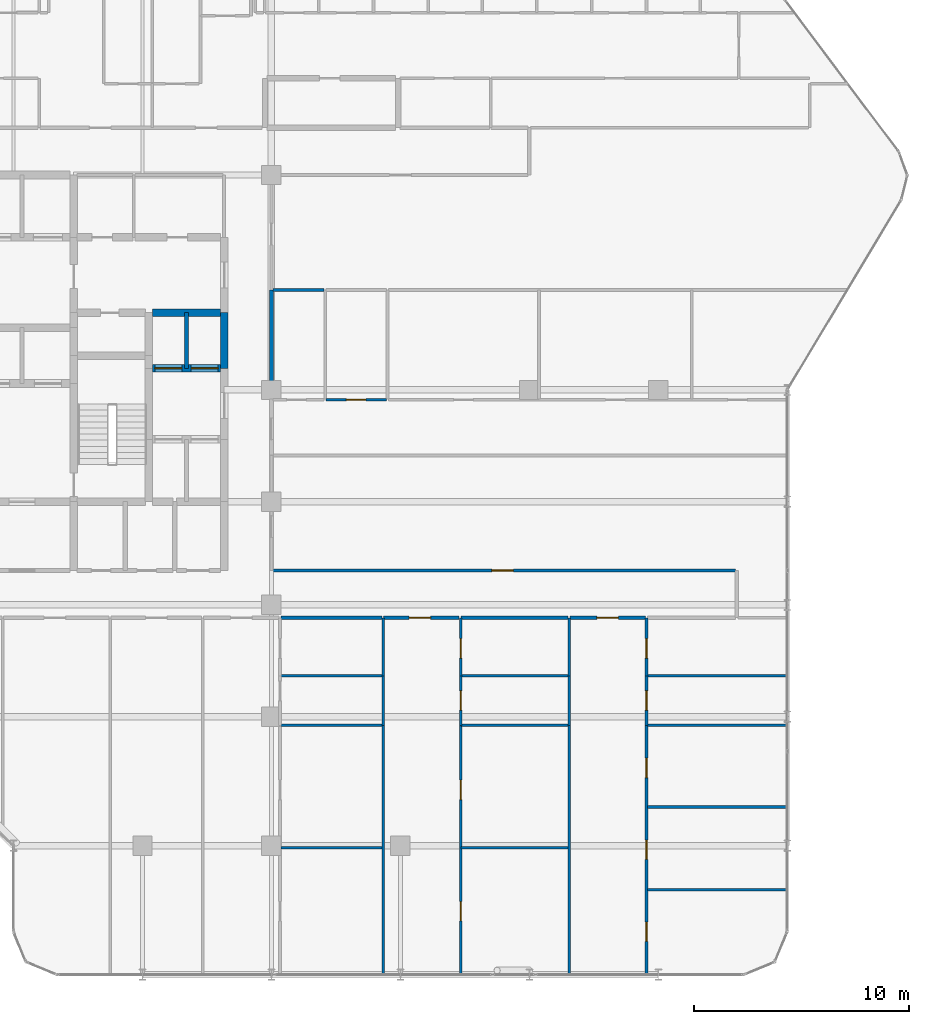
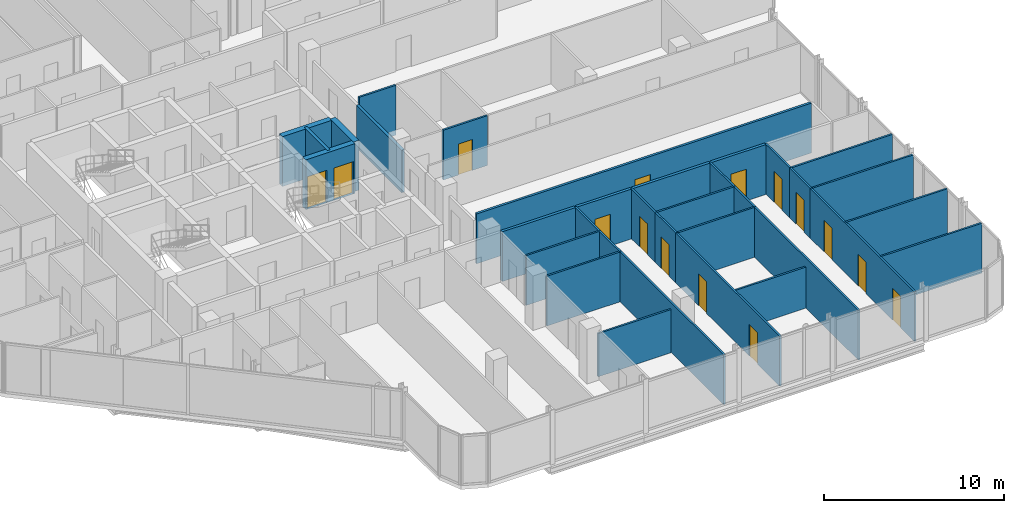
# One storey, part 27 of 31: 34 walls, 15 doors, 15 openings.
"""IFC4 building model written with IfcOpenShell, lengths in metres."""

import ifcopenshell
import ifcopenshell.guid

model = None  # the IFC model being written
_history = None  # IfcOwnerHistory: only IFC2X3 demands one
_inside = {}  # id of a spatial element -> (the spatial element, [elements in it])
_under = {}  # id of a project, library or spatial element -> (it, [spatial elements below it])
_declared = {}  # id of a project -> (the project, [libraries it declares])
_typed = {}  # id of a type object -> (the type object, [elements of that type])
_made_of = {}  # id of a material, layer set ... -> (it, [elements and type objects made of it])


def new_model(schema):
    """Start an empty IFC model of exactly this schema.

    Asked for "IFC4X3", IfcOpenShell would pick the latest addendum, in which some entities
    have other attributes; the version numbers below select the first issue.
    IFC2X3 requires an IfcOwnerHistory on every rooted entity: one is made here for all.
    """
    global model, _history
    if schema == "IFC4X3":
        model = ifcopenshell.file(schema_version=(4, 3, 0, 0))
    else:
        model = ifcopenshell.file(schema=schema)
    _inside.clear()
    _under.clear()
    _declared.clear()
    _typed.clear()
    _made_of.clear()
    _history = None
    if model.schema == "IFC2X3":
        org = make("IfcOrganization", Name="unknown")
        user = make(
            "IfcPersonAndOrganization",
            ThePerson=make("IfcPerson", FamilyName="unknown"),
            TheOrganization=org,
        )
        app = make(
            "IfcApplication",
            ApplicationDeveloper=org,
            Version="unknown",
            ApplicationFullName="unknown",
            ApplicationIdentifier="unknown",
        )
        _history = make(
            "IfcOwnerHistory",
            OwningUser=user,
            OwningApplication=app,
            ChangeAction="ADDED",
            CreationDate=0,
        )
    return model


def make(cls, **values):
    """One entity of the class cls with the attributes given. An attribute that is None is left unset."""
    return model.create_entity(
        cls, **{name: value for name, value in values.items() if value is not None}
    )


def rooted(cls, **values):
    """An entity with a GlobalId (a new one), such as an element, a storey or a relation."""
    return make(cls, GlobalId=ifcopenshell.guid.new(), OwnerHistory=_history, **values)


def si_unit(unit_type, name, prefix=None):
    """IfcSIUnit, for example si_unit("LENGTHUNIT", "METRE", prefix="MILLI")."""
    return make("IfcSIUnit", UnitType=unit_type, Prefix=prefix, Name=name)


def assignment(units):
    """IfcUnitAssignment: the units of a project."""
    return None if units is None else make("IfcUnitAssignment", Units=units)


def point(xyz):
    """IfcCartesianPoint."""
    return None if xyz is None else make("IfcCartesianPoint", Coordinates=xyz)


def direction(xyz):
    """IfcDirection."""
    return None if xyz is None else make("IfcDirection", DirectionRatios=xyz)


def frame(location, z_axis=None, x_axis=None):
    """IfcAxis2Placement3D, a coordinate frame: its origin and axes. An axis left out is left unset."""
    return make(
        "IfcAxis2Placement3D",
        Location=point(location),
        Axis=direction(z_axis),
        RefDirection=direction(x_axis),
    )


def frame_2d(location, x_axis=None):
    """IfcAxis2Placement2D, a coordinate frame in the plane: its origin and x axis."""
    return make(
        "IfcAxis2Placement2D", Location=point(location), RefDirection=direction(x_axis)
    )


def origin():
    """The frame at (0, 0, 0) with its axes left unset."""
    return frame((0.0, 0.0, 0.0))


def place(relative_to, where):
    """IfcLocalPlacement: puts the frame where relative to a parent placement (None: the world)."""
    return make(
        "IfcLocalPlacement", PlacementRelTo=relative_to, RelativePlacement=where
    )


def context(
    kind, dimensions, precision=None, world=None, true_north=None, identifier=None
):
    """IfcGeometricRepresentationContext, for example the 3D "Model" context."""
    return make(
        "IfcGeometricRepresentationContext",
        ContextIdentifier=identifier,
        ContextType=kind,
        CoordinateSpaceDimension=dimensions,
        Precision=precision,
        WorldCoordinateSystem=world,
        TrueNorth=true_north,
    )


def subcontext(parent, identifier, kind, view, scale=None):
    """IfcGeometricRepresentationSubContext, for example "Body" below "Model"."""
    return make(
        "IfcGeometricRepresentationSubContext",
        ContextIdentifier=identifier,
        ContextType=kind,
        ParentContext=parent,
        TargetScale=scale,
        TargetView=view,
    )


def project(units=None, contexts=None):
    """IfcProject with its units and contexts."""
    return rooted(
        "IfcProject",
        Name="project",
        RepresentationContexts=contexts,
        UnitsInContext=assignment(units),
    )


def spatial(cls, under=None, at=None, **own):
    """A site, building, storey or space (cls), placed at a placement, below another one or the project."""
    s = rooted(cls, ObjectPlacement=at, **own)
    if under is not None:
        _under.setdefault(under.id(), (under, []))[1].append(s)
    return s


def profile(cls, at=None, kind="AREA", **sizes):
    """A parametric profile (cls). Its sizes go by their IFC names, for example OverallWidth=200.0."""
    return make(cls, ProfileType=kind, Position=at, **sizes)


def rectangle(**sizes):
    """IfcRectangleProfileDef."""
    return profile("IfcRectangleProfileDef", **sizes)


def extrude(swept, where, along, depth):
    """IfcExtrudedAreaSolid: the profile swept, set in the frame where, extruded along a direction by depth."""
    return make(
        "IfcExtrudedAreaSolid",
        SweptArea=swept,
        Position=where,
        ExtrudedDirection=direction(along),
        Depth=depth,
    )


def shape(context_of_items, identifier, shape_type, items):
    """IfcShapeRepresentation: the items that make up one representation, for example the "Body"."""
    return make(
        "IfcShapeRepresentation",
        ContextOfItems=context_of_items,
        RepresentationIdentifier=identifier,
        RepresentationType=shape_type,
        Items=items,
    )


def material(Name=None, Category=None):
    """IfcMaterial."""
    return make("IfcMaterial", Name=Name, Category=Category)


def layer(
    of_material, thickness, ventilated=None, Name=None, Category=None, Priority=None
):
    """IfcMaterialLayer: one layer of a wall or slab, of a material (None: an air gap)."""
    return make(
        "IfcMaterialLayer",
        Material=of_material,
        LayerThickness=thickness,
        IsVentilated=ventilated,
        Name=Name,
        Category=Category,
        Priority=Priority,
    )


def layer_set(layers, Name=None):
    """IfcMaterialLayerSet."""
    return make("IfcMaterialLayerSet", MaterialLayers=layers, LayerSetName=Name)


def made_of(thing, what):
    """Note that an element or type object is made of a material, layer set ...; save() writes the relation."""
    if what is not None:
        _made_of.setdefault(what.id(), (what, []))[1].append(thing)
    return thing


def type_object(cls, material=None, **own):
    """A type object (cls), such as IfcWallType, which elements share."""
    return made_of(rooted(cls, **own), material)


def element(
    cls,
    number,
    at=None,
    inside=None,
    cuts=None,
    type_object=None,
    material=None,
    context=None,
    identifier="Body",
    shape_type=None,
    held_by="IfcProductDefinitionShape",
    body=None,
    shapes=None,
    **own,
):
    """One element of the class cls, such as IfcWall. Its Tag is "e" and its number.

    at: its placement. inside: the storey or other place that contains it. cuts: it is an
    opening in that element (IfcRelVoidsElement). A single representation is given by context,
    identifier, shape_type and body (its items); several are given by shapes. held_by: the class
    of the entity that holds the representations. save() writes the other relations.
    """
    e = rooted(cls, Tag="e%d" % number, ObjectPlacement=at, **own)
    if body is not None:
        shapes = [shape(context, identifier, shape_type, body)]
    if shapes is not None:
        e.Representation = make(held_by, Representations=shapes)
    if inside is not None:
        _inside.setdefault(inside.id(), (inside, []))[1].append(e)
    if cuts is not None:
        rooted(
            "IfcRelVoidsElement", RelatingBuildingElement=cuts, RelatedOpeningElement=e
        )
    if type_object is not None:
        _typed.setdefault(type_object.id(), (type_object, []))[1].append(e)
    return made_of(e, material)


def fill(opening, filler):
    """IfcRelFillsElement: the door or window that sits in an opening."""
    return rooted(
        "IfcRelFillsElement",
        RelatingOpeningElement=opening,
        RelatedBuildingElement=filler,
    )


def aggregate(whole, parts):
    """IfcRelAggregates: a whole, such as a stair, and the parts it consists of."""
    return rooted("IfcRelAggregates", RelatingObject=whole, RelatedObjects=parts)


def save(model, path):
    """Write the relations noted so far, then the file.

    IfcRelAggregates (storeys below a building ...), IfcRelContainedInSpatialStructure (elements
    in a storey), IfcRelDefinesByType, IfcRelAssociatesMaterial and IfcRelDeclares: one each for
    every whole, place, type object, material and project.
    """
    for whole, parts in _under.values():
        aggregate(whole, parts)
    for where, things in _inside.values():
        rooted(
            "IfcRelContainedInSpatialStructure",
            RelatedElements=things,
            RelatingStructure=where,
        )
    for kind, things in _typed.values():
        rooted("IfcRelDefinesByType", RelatedObjects=things, RelatingType=kind)
    for what, things in _made_of.values():
        rooted("IfcRelAssociatesMaterial", RelatedObjects=things, RelatingMaterial=what)
    for by, libraries in _declared.values():
        rooted("IfcRelDeclares", RelatingContext=by, RelatedDefinitions=libraries)
    model.write(path)


model = new_model("IFC4")

# Units and contexts
model_context = context("Model", 3, precision=1e-05, world=origin(), true_north=direction((0.0, 1.0)))
body_context = subcontext(model_context, "Body", "Model", "MODEL_VIEW")
ifc_project = project(units=[si_unit("LENGTHUNIT", "METRE"), si_unit("AREAUNIT", "SQUARE_METRE"), si_unit("VOLUMEUNIT", "CUBIC_METRE"), si_unit("PLANEANGLEUNIT", "RADIAN"), si_unit("MASSUNIT", "GRAM", prefix="KILO")], contexts=[model_context])

# Site, building, storey
site_placement = place(None, origin())
site = spatial("IfcSite", under=ifc_project, at=site_placement, CompositionType="ELEMENT")
building_placement = place(site_placement, origin())
building = spatial("IfcBuilding", under=site, at=building_placement, Name="Keshet Zoharim Tower", CompositionType="ELEMENT")
storey_placement = place(building_placement, frame((0.0, 0.0, 144.60009765625)))
storey = spatial("IfcBuildingStorey", under=building, at=storey_placement, Name="L35", CompositionType="ELEMENT", Elevation=144.60009765625)

# Wall, opening, door
ifc_material_1 = material(Name="Gypsum Plasterboard", Category="gypsum")
ifc_layer_1 = layer(ifc_material_1, 0.14990234375)
ifc_layer_set_1 = layer_set([ifc_layer_1], Name="Gypsum Plasterboard")
wall_type_1 = type_object("IfcWallType", Name="WL-CLIN-150", PredefinedType="STANDARD", material=ifc_layer_set_1)
wall_1_placement = place(storey_placement, frame((33.070068359375, 19.5, 0.0), z_axis=(0.0, 0.0, 1.0), x_axis=(1.0, 0.0, 0.0)))
wall_1 = element("IfcWall", 1, at=wall_1_placement, inside=storey, type_object=wall_type_1, Name="L35 Interior Wall 135", PredefinedType="STANDARD", context=body_context, shape_type="SweptSolid", body=[
    extrude(rectangle(XDim=21.510009765625, YDim=0.14990234375, at=frame_2d((10.7548828125, 0.0))), origin(), (0.0, 0.0, 1.0), 3.385009765625),
])
opening_1_placement = place(wall_1_placement, frame((10.18505859375, 0.0, 0.0)))
opening_1 = element("IfcOpeningElement", 2, at=opening_1_placement, cuts=wall_1, Name="Opening D-F310", PredefinedType="OPENING", context=body_context, shape_type="SweptSolid", body=[
    extrude(rectangle(XDim=1.0, YDim=2.14990234375, at=frame_2d((0.5, 1.074951171875))), frame((0.0, 0.0849609375, 0.0), z_axis=(0.0, -1.0, 0.0), x_axis=(1.0, 0.0, 0.0)), (0.0, 0.0, 1.0), 0.169921875),
])
ifc_material_2 = material(Name="Hardwood Timber", Category="wood")
door_type_1 = type_object("IfcDoorType", Name="DR-FD30-100", OperationType="NOTDEFINED", PredefinedType="DOOR", material=ifc_material_2)
door_1_placement = place(opening_1_placement, origin())
door_1 = element("IfcDoor", 3, at=door_1_placement, inside=storey, type_object=door_type_1, Name="L35 South East Residents Services Suite Door 1", OperationType="SINGLE_SWING_RIGHT", OverallHeight=2.14990234375, OverallWidth=1.0, PredefinedType="DOOR", context=body_context, shape_type="SweptSolid", body=[
    extrude(rectangle(XDim=1.0, YDim=2.14990234375, at=frame_2d((0.5, 1.074951171875))), frame((0.0, 0.02490234375, 0.0), z_axis=(0.0, -1.0, 0.0), x_axis=(1.0, 0.0, 0.0)), (0.0, 0.0, 1.0), 0.050048828125),
])
fill(opening_1, door_1)

# Wall
ifc_material_3 = material(Name="Concrete C60/75", Category="concrete")
ifc_layer_2 = layer(ifc_material_3, 0.35009765625)
ifc_layer_set_2 = layer_set([ifc_layer_2], Name="Concrete C60/75")
wall_type_2 = type_object("IfcWallType", Name="WL-CORE-350", PredefinedType="SHEAR", material=ifc_layer_set_2)
wall_2_placement = place(storey_placement, frame((30.800048828125, 28.89990234375, 0.0), z_axis=(0.0, 0.0, 1.0), x_axis=(0.0, 1.0, 0.0)))
element("IfcWall", 4, at=wall_2_placement, inside=storey, type_object=wall_type_2, Name="L35 Core Shear Wall 062", PredefinedType="SHEAR", context=body_context, shape_type="SweptSolid", body=[
    extrude(rectangle(XDim=2.60009765625, YDim=0.35009765625, at=frame_2d((1.300048828125, 0.0))), origin(), (0.0, 0.0, 1.0), 3.385009765625),
])

# Wall, openings, doors
wall_3_placement = place(storey_placement, frame((27.4599609375, 28.89990234375, 0.0), z_axis=(0.0, 0.0, 1.0), x_axis=(1.0, 0.0, 0.0)))
wall_3 = element("IfcWall", 5, at=wall_3_placement, inside=storey, type_object=wall_type_2, Name="L35 Core Shear Wall 156", PredefinedType="SHEAR", context=body_context, shape_type="SweptSolid", body=[
    extrude(rectangle(XDim=3.179931640625, YDim=0.35009765625, at=frame_2d((1.58984375, 0.0))), origin(), (0.0, 0.0, 1.0), 3.385009765625),
])
opening_2_placement = place(wall_3_placement, frame((0.1201171875, 0.0, 0.0)))
opening_2 = element("IfcOpeningElement", 6, at=opening_2_placement, cuts=wall_3, Name="Opening LD-01", PredefinedType="OPENING", context=body_context, shape_type="SweptSolid", body=[
    extrude(rectangle(XDim=1.25, YDim=2.199951171875, at=frame_2d((0.625, 1.10009765625))), frame((0.0, 0.18505859375, 0.0), z_axis=(0.0, -1.0, 0.0), x_axis=(1.0, 0.0, 0.0)), (0.0, 0.0, 1.0), 0.3701171875),
])
opening_3_placement = place(wall_3_placement, frame((1.81005859375, 0.0, 0.0)))
opening_3 = element("IfcOpeningElement", 7, at=opening_3_placement, cuts=wall_3, Name="Opening LD-01", PredefinedType="OPENING", context=body_context, shape_type="SweptSolid", body=[
    extrude(rectangle(XDim=1.25, YDim=2.199951171875, at=frame_2d((0.625, 1.10009765625))), frame((0.0, 0.18505859375, 0.0), z_axis=(0.0, -1.0, 0.0), x_axis=(1.0, 0.0, 0.0)), (0.0, 0.0, 1.0), 0.3701171875),
])
ifc_material_4 = material(Name="Steel S355", Category="steel")
door_type_2 = type_object("IfcDoorType", Name="DR-LD01-125", OperationType="DOUBLE_DOOR_SLIDING", PredefinedType="DOOR", material=ifc_material_4)
door_2_placement = place(opening_2_placement, origin())
door_2 = element("IfcDoor", 8, at=door_2_placement, inside=storey, type_object=door_type_2, Name="L35 Passenger Lift Landing Door LF-05", OperationType="DOUBLE_DOOR_SLIDING", OverallHeight=2.199951171875, OverallWidth=1.25, PredefinedType="DOOR", context=body_context, shape_type="SweptSolid", body=[
    extrude(rectangle(XDim=1.25, YDim=2.199951171875, at=frame_2d((0.625, 1.10009765625))), frame((0.0, 0.02490234375, 0.0), z_axis=(0.0, -1.0, 0.0), x_axis=(1.0, 0.0, 0.0)), (0.0, 0.0, 1.0), 0.050048828125),
])
fill(opening_2, door_2)
door_3_placement = place(opening_3_placement, origin())
door_3 = element("IfcDoor", 9, at=door_3_placement, inside=storey, type_object=door_type_2, Name="L35 Passenger Lift Landing Door LF-06", OperationType="DOUBLE_DOOR_SLIDING", OverallHeight=2.199951171875, OverallWidth=1.25, PredefinedType="DOOR", context=body_context, shape_type="SweptSolid", body=[
    extrude(rectangle(XDim=1.25, YDim=2.199951171875, at=frame_2d((0.625, 1.10009765625))), frame((0.0, 0.02490234375, 0.0), z_axis=(0.0, -1.0, 0.0), x_axis=(1.0, 0.0, 0.0)), (0.0, 0.0, 1.0), 0.050048828125),
])
fill(opening_3, door_3)

# Walls
wall_4_placement = place(storey_placement, frame((27.4599609375, 31.5, 0.0), z_axis=(0.0, 0.0, 1.0), x_axis=(1.0, 0.0, 0.0)))
element("IfcWall", 10, at=wall_4_placement, inside=storey, type_object=wall_type_2, Name="L35 Core Shear Wall 164", PredefinedType="SHEAR", context=body_context, shape_type="SweptSolid", body=[
    extrude(rectangle(XDim=3.179931640625, YDim=0.35009765625, at=frame_2d((1.58984375, 0.0))), origin(), (0.0, 0.0, 1.0), 3.385009765625),
])
ifc_layer_3 = layer(ifc_material_1, 0.179931640625)
ifc_layer_set_3 = layer_set([ifc_layer_3], Name="Gypsum Plasterboard")
wall_type_3 = type_object("IfcWallType", Name="WL-CORR-180", PredefinedType="STANDARD", material=ifc_layer_set_3)
wall_5_placement = place(storey_placement, frame((33.0, 27.469970703125, 0.0), z_axis=(0.0, 0.0, 1.0), x_axis=(0.0, 1.0, 0.0)))
element("IfcWall", 11, at=wall_5_placement, inside=storey, type_object=wall_type_3, Name="L35 Interior Wall 071", PredefinedType="STANDARD", context=body_context, shape_type="SweptSolid", body=[
    extrude(rectangle(XDim=5.070068359375, YDim=0.179931640625, at=frame_2d((2.53515625, 0.0))), origin(), (0.0, 0.0, 1.0), 2.885009765625),
])
wall_6_placement = place(storey_placement, frame((33.445068359375, 17.300048828125, 0.0), z_axis=(0.0, 0.0, 1.0), x_axis=(1.0, 0.0, 0.0)))
element("IfcWall", 12, at=wall_6_placement, inside=storey, type_object=wall_type_3, Name="L35 Interior Wall 125", PredefinedType="STANDARD", context=body_context, shape_type="SweptSolid", body=[
    extrude(rectangle(XDim=4.68994140625, YDim=0.179931640625, at=frame_2d((2.344970703125, 0.0))), origin(), (0.0, 0.0, 1.0), 3.385009765625),
])

# Wall, opening, door
wall_7_placement = place(storey_placement, frame((38.22509765625, 17.300048828125, 0.0), z_axis=(0.0, 0.0, 1.0), x_axis=(1.0, 0.0, 0.0)))
wall_7 = element("IfcWall", 13, at=wall_7_placement, inside=storey, type_object=wall_type_3, Name="L35 Interior Wall 126", PredefinedType="STANDARD", context=body_context, shape_type="SweptSolid", body=[
    extrude(rectangle(XDim=3.510009765625, YDim=0.179931640625, at=frame_2d((1.7548828125, 0.0))), origin(), (0.0, 0.0, 1.0), 3.385009765625),
])
opening_4_placement = place(wall_7_placement, frame((1.18505859375, 0.0, 0.0)))
opening_4 = element("IfcOpeningElement", 14, at=opening_4_placement, cuts=wall_7, Name="Opening D-F310", PredefinedType="OPENING", context=body_context, shape_type="SweptSolid", body=[
    extrude(rectangle(XDim=1.0, YDim=2.14990234375, at=frame_2d((0.5, 1.074951171875))), frame((0.0, 0.10009765625, 0.0), z_axis=(0.0, -1.0, 0.0), x_axis=(1.0, 0.0, 0.0)), (0.0, 0.0, 1.0), 0.199951171875),
])
door_4_placement = place(opening_4_placement, origin())
door_4 = element("IfcDoor", 15, at=door_4_placement, inside=storey, type_object=door_type_1, Name="Apartment 3503 Entrance Door", OperationType="SINGLE_SWING_LEFT", OverallHeight=2.14990234375, OverallWidth=1.0, PredefinedType="DOOR", context=body_context, shape_type="SweptSolid", body=[
    extrude(rectangle(XDim=1.0, YDim=2.14990234375, at=frame_2d((0.5, 1.074951171875))), frame((0.0, 0.02490234375, 0.0), z_axis=(0.0, -1.0, 0.0), x_axis=(1.0, 0.0, 0.0)), (0.0, 0.0, 1.0), 0.050048828125),
])
fill(opening_4, door_4)

# Wall
wall_8_placement = place(storey_placement, frame((41.824951171875, 17.300048828125, 0.0), z_axis=(0.0, 0.0, 1.0), x_axis=(1.0, 0.0, 0.0)))
element("IfcWall", 16, at=wall_8_placement, inside=storey, type_object=wall_type_3, Name="L35 Interior Wall 127", PredefinedType="STANDARD", context=body_context, shape_type="SweptSolid", body=[
    extrude(rectangle(XDim=4.969970703125, YDim=0.179931640625, at=frame_2d((2.48486328125, 0.0))), origin(), (0.0, 0.0, 1.0), 3.385009765625),
])

# Wall, opening, door
wall_9_placement = place(storey_placement, frame((46.885009765625, 17.300048828125, 0.0), z_axis=(0.0, 0.0, 1.0), x_axis=(1.0, 0.0, 0.0)))
wall_9 = element("IfcWall", 17, at=wall_9_placement, inside=storey, type_object=wall_type_3, Name="L35 Interior Wall 128", PredefinedType="STANDARD", context=body_context, shape_type="SweptSolid", body=[
    extrude(rectangle(XDim=3.510009765625, YDim=0.179931640625, at=frame_2d((1.7548828125, 0.0))), origin(), (0.0, 0.0, 1.0), 3.385009765625),
])
opening_5_placement = place(wall_9_placement, frame((1.2548828125, 0.0, 0.0)))
opening_5 = element("IfcOpeningElement", 18, at=opening_5_placement, cuts=wall_9, Name="Opening D-F310", PredefinedType="OPENING", context=body_context, shape_type="SweptSolid", body=[
    extrude(rectangle(XDim=1.0, YDim=2.14990234375, at=frame_2d((0.5, 1.074951171875))), frame((0.0, 0.10009765625, 0.0), z_axis=(0.0, -1.0, 0.0), x_axis=(1.0, 0.0, 0.0)), (0.0, 0.0, 1.0), 0.199951171875),
])
door_5_placement = place(opening_5_placement, origin())
door_5 = element("IfcDoor", 19, at=door_5_placement, inside=storey, type_object=door_type_1, Name="Apartment 3504 Entrance Door", OperationType="SINGLE_SWING_RIGHT", OverallHeight=2.14990234375, OverallWidth=1.0, PredefinedType="DOOR", context=body_context, shape_type="SweptSolid", body=[
    extrude(rectangle(XDim=1.0, YDim=2.14990234375, at=frame_2d((0.5, 1.074951171875))), frame((0.0, 0.02490234375, 0.0), z_axis=(0.0, -1.0, 0.0), x_axis=(1.0, 0.0, 0.0)), (0.0, 0.0, 1.0), 0.050048828125),
])
fill(opening_5, door_5)

# Walls
ifc_material_5 = material(Name="Concrete C50/60", Category="concrete")
ifc_layer_4 = layer(ifc_material_5, 0.199951171875)
ifc_layer_set_4 = layer_set([ifc_layer_4], Name="Concrete C50/60")
wall_type_4 = type_object("IfcWallType", Name="WL-FIRE-200", PredefinedType="STANDARD", material=ifc_layer_set_4)
wall_10_placement = place(storey_placement, frame((29.050048828125, 28.89990234375, 0.0), z_axis=(0.0, 0.0, 1.0), x_axis=(0.0, 1.0, 0.0)))
element("IfcWall", 20, at=wall_10_placement, inside=storey, type_object=wall_type_4, Name="L35 Interior Wall 055", PredefinedType="STANDARD", context=body_context, shape_type="SweptSolid", body=[
    extrude(rectangle(XDim=2.60009765625, YDim=0.199951171875, at=frame_2d((1.300048828125, 0.0))), origin(), (0.0, 0.0, 1.0), 3.385009765625),
])
ifc_layer_5 = layer(ifc_material_1, 0.1201171875)
ifc_layer_set_5 = layer_set([ifc_layer_5], Name="Gypsum Plasterboard")
wall_type_5 = type_object("IfcWallType", Name="WL-PART-120", PredefinedType="PARTITIONING", material=ifc_layer_set_5)
wall_11_placement = place(storey_placement, frame((38.199951171875, 0.7099609375, 0.0), z_axis=(0.0, 0.0, 1.0), x_axis=(0.0, 1.0, 0.0)))
element("IfcWall", 21, at=wall_11_placement, inside=storey, type_object=wall_type_5, Name="L35 Interior Wall 079", PredefinedType="PARTITIONING", context=body_context, shape_type="SweptSolid", body=[
    extrude(rectangle(XDim=11.590087890625, YDim=0.1201171875, at=frame_2d((5.794921875, 0.0))), origin(), (0.0, 0.0, 1.0), 3.385009765625),
])
wall_12_placement = place(storey_placement, frame((38.199951171875, 12.300048828125, 0.0), z_axis=(0.0, 0.0, 1.0), x_axis=(0.0, 1.0, 0.0)))
element("IfcWall", 22, at=wall_12_placement, inside=storey, type_object=wall_type_5, Name="L35 Interior Wall 080", PredefinedType="PARTITIONING", context=body_context, shape_type="SweptSolid", body=[
    extrude(rectangle(XDim=2.300048828125, YDim=0.1201171875, at=frame_2d((1.14990234375, 0.0))), origin(), (0.0, 0.0, 1.0), 3.385009765625),
])

# Wall, openings, doors
wall_13_placement = place(storey_placement, frame((41.800048828125, 0.7099609375, 0.0), z_axis=(0.0, 0.0, 1.0), x_axis=(0.0, 1.0, 0.0)))
wall_13 = element("IfcWall", 23, at=wall_13_placement, inside=storey, type_object=wall_type_5, Name="L35 Interior Wall 085", PredefinedType="PARTITIONING", context=body_context, shape_type="SweptSolid", body=[
    extrude(rectangle(XDim=11.590087890625, YDim=0.1201171875, at=frame_2d((5.794921875, 0.0))), origin(), (0.0, 0.0, 1.0), 3.385009765625),
])
opening_6_placement = place(wall_13_placement, frame((2.489990234375, 0.0, 0.0)))
opening_6 = element("IfcOpeningElement", 24, at=opening_6_placement, cuts=wall_13, Name="Opening D-IN90", PredefinedType="OPENING", context=body_context, shape_type="SweptSolid", body=[
    extrude(rectangle(XDim=0.89990234375, YDim=2.14990234375, at=frame_2d((0.449951171875, 1.074951171875))), frame((0.0, 0.070068359375, 0.0), z_axis=(0.0, -1.0, 0.0), x_axis=(1.0, 0.0, 0.0)), (0.0, 0.0, 1.0), 0.14013671875),
])
opening_7_placement = place(wall_13_placement, frame((8.133056640625, 0.0, 0.0)))
opening_7 = element("IfcOpeningElement", 25, at=opening_7_placement, cuts=wall_13, Name="Opening D-IN90", PredefinedType="OPENING", context=body_context, shape_type="SweptSolid", body=[
    extrude(rectangle(XDim=0.89990234375, YDim=2.14990234375, at=frame_2d((0.449951171875, 1.074951171875))), frame((0.0, 0.070068359375, 0.0), z_axis=(0.0, -1.0, 0.0), x_axis=(1.0, 0.0, 0.0)), (0.0, 0.0, 1.0), 0.14013671875),
])
door_type_3 = type_object("IfcDoorType", Name="DR-INT-090", OperationType="NOTDEFINED", PredefinedType="DOOR", material=ifc_material_2)
door_6_placement = place(opening_6_placement, origin())
door_6 = element("IfcDoor", 26, at=door_6_placement, inside=storey, type_object=door_type_3, Name="Apartment 3503 Bedroom 1 Door", OperationType="SINGLE_SWING_LEFT", OverallHeight=2.14990234375, OverallWidth=0.89990234375, PredefinedType="DOOR", context=body_context, shape_type="SweptSolid", body=[
    extrude(rectangle(XDim=0.89990234375, YDim=2.14990234375, at=frame_2d((0.449951171875, 1.074951171875))), frame((0.0, 0.02490234375, 0.0), z_axis=(0.0, -1.0, 0.0), x_axis=(1.0, 0.0, 0.0)), (0.0, 0.0, 1.0), 0.050048828125),
])
fill(opening_6, door_6)
door_7_placement = place(opening_7_placement, origin())
door_7 = element("IfcDoor", 27, at=door_7_placement, inside=storey, type_object=door_type_3, Name="Apartment 3503 Bedroom 2 Door", OperationType="SINGLE_SWING_RIGHT", OverallHeight=2.14990234375, OverallWidth=0.89990234375, PredefinedType="DOOR", context=body_context, shape_type="SweptSolid", body=[
    extrude(rectangle(XDim=0.89990234375, YDim=2.14990234375, at=frame_2d((0.449951171875, 1.074951171875))), frame((0.0, 0.02490234375, 0.0), z_axis=(0.0, -1.0, 0.0), x_axis=(1.0, 0.0, 0.0)), (0.0, 0.0, 1.0), 0.050048828125),
])
fill(opening_7, door_7)

# Wall, opening, door
wall_14_placement = place(storey_placement, frame((41.800048828125, 12.300048828125, 0.0), z_axis=(0.0, 0.0, 1.0), x_axis=(0.0, 1.0, 0.0)))
wall_14 = element("IfcWall", 28, at=wall_14_placement, inside=storey, type_object=wall_type_5, Name="L35 Interior Wall 086", PredefinedType="PARTITIONING", context=body_context, shape_type="SweptSolid", body=[
    extrude(rectangle(XDim=2.300048828125, YDim=0.1201171875, at=frame_2d((1.14990234375, 0.0))), origin(), (0.0, 0.0, 1.0), 3.385009765625),
])
opening_8_placement = place(wall_14_placement, frame((0.699951171875, 0.0, 0.0)))
opening_8 = element("IfcOpeningElement", 29, at=opening_8_placement, cuts=wall_14, Name="Opening D-IN90", PredefinedType="OPENING", context=body_context, shape_type="SweptSolid", body=[
    extrude(rectangle(XDim=0.89990234375, YDim=2.14990234375, at=frame_2d((0.449951171875, 1.074951171875))), frame((0.0, 0.070068359375, 0.0), z_axis=(0.0, -1.0, 0.0), x_axis=(1.0, 0.0, 0.0)), (0.0, 0.0, 1.0), 0.14013671875),
])
door_8_placement = place(opening_8_placement, origin())
door_8 = element("IfcDoor", 30, at=door_8_placement, inside=storey, type_object=door_type_3, Name="Apartment 3503 Kitchen Door", OperationType="SINGLE_SWING_LEFT", OverallHeight=2.14990234375, OverallWidth=0.89990234375, PredefinedType="DOOR", context=body_context, shape_type="SweptSolid", body=[
    extrude(rectangle(XDim=0.89990234375, YDim=2.14990234375, at=frame_2d((0.449951171875, 1.074951171875))), frame((0.0, 0.02490234375, 0.0), z_axis=(0.0, -1.0, 0.0), x_axis=(1.0, 0.0, 0.0)), (0.0, 0.0, 1.0), 0.050048828125),
])
fill(opening_8, door_8)

# Walls
wall_15_placement = place(storey_placement, frame((46.85009765625, 0.7099609375, 0.0), z_axis=(0.0, 0.0, 1.0), x_axis=(0.0, 1.0, 0.0)))
element("IfcWall", 31, at=wall_15_placement, inside=storey, type_object=wall_type_5, Name="L35 Interior Wall 093", PredefinedType="PARTITIONING", context=body_context, shape_type="SweptSolid", body=[
    extrude(rectangle(XDim=11.590087890625, YDim=0.1201171875, at=frame_2d((5.794921875, 0.0))), origin(), (0.0, 0.0, 1.0), 3.385009765625),
])
wall_16_placement = place(storey_placement, frame((46.85009765625, 12.300048828125, 0.0), z_axis=(0.0, 0.0, 1.0), x_axis=(0.0, 1.0, 0.0)))
element("IfcWall", 32, at=wall_16_placement, inside=storey, type_object=wall_type_5, Name="L35 Interior Wall 094", PredefinedType="PARTITIONING", context=body_context, shape_type="SweptSolid", body=[
    extrude(rectangle(XDim=2.300048828125, YDim=0.1201171875, at=frame_2d((1.14990234375, 0.0))), origin(), (0.0, 0.0, 1.0), 3.385009765625),
])

# Wall, openings, doors
wall_17_placement = place(storey_placement, frame((50.449951171875, 0.7099609375, 0.0), z_axis=(0.0, 0.0, 1.0), x_axis=(0.0, 1.0, 0.0)))
wall_17 = element("IfcWall", 33, at=wall_17_placement, inside=storey, type_object=wall_type_5, Name="L35 Interior Wall 097", PredefinedType="PARTITIONING", context=body_context, shape_type="SweptSolid", body=[
    extrude(rectangle(XDim=11.590087890625, YDim=0.1201171875, at=frame_2d((5.794921875, 0.0))), origin(), (0.0, 0.0, 1.0), 3.385009765625),
])
opening_9_placement = place(wall_17_placement, frame((1.534912109375, 0.0, 0.0)))
opening_9 = element("IfcOpeningElement", 34, at=opening_9_placement, cuts=wall_17, Name="Opening D-IN90", PredefinedType="OPENING", context=body_context, shape_type="SweptSolid", body=[
    extrude(rectangle(XDim=0.89990234375, YDim=2.14990234375, at=frame_2d((0.449951171875, 1.074951171875))), frame((0.0, 0.070068359375, 0.0), z_axis=(0.0, -1.0, 0.0), x_axis=(1.0, 0.0, 0.0)), (0.0, 0.0, 1.0), 0.14013671875),
])
opening_10_placement = place(wall_17_placement, frame((5.34912109375, 0.0, 0.0)))
opening_10 = element("IfcOpeningElement", 35, at=opening_10_placement, cuts=wall_17, Name="Opening D-IN90", PredefinedType="OPENING", context=body_context, shape_type="SweptSolid", body=[
    extrude(rectangle(XDim=0.89990234375, YDim=2.14990234375, at=frame_2d((0.449951171875, 1.074951171875))), frame((0.0, 0.070068359375, 0.0), z_axis=(0.0, -1.0, 0.0), x_axis=(1.0, 0.0, 0.0)), (0.0, 0.0, 1.0), 0.14013671875),
])
opening_11_placement = place(wall_17_placement, frame((9.158935546875, 0.0, 0.0)))
opening_11 = element("IfcOpeningElement", 36, at=opening_11_placement, cuts=wall_17, Name="Opening D-IN90", PredefinedType="OPENING", context=body_context, shape_type="SweptSolid", body=[
    extrude(rectangle(XDim=0.89990234375, YDim=2.14990234375, at=frame_2d((0.449951171875, 1.074951171875))), frame((0.0, 0.070068359375, 0.0), z_axis=(0.0, -1.0, 0.0), x_axis=(1.0, 0.0, 0.0)), (0.0, 0.0, 1.0), 0.14013671875),
])
door_9_placement = place(opening_9_placement, origin())
door_9 = element("IfcDoor", 37, at=door_9_placement, inside=storey, type_object=door_type_3, Name="Apartment 3504 Bedroom 1 Door", OperationType="SINGLE_SWING_LEFT", OverallHeight=2.14990234375, OverallWidth=0.89990234375, PredefinedType="DOOR", context=body_context, shape_type="SweptSolid", body=[
    extrude(rectangle(XDim=0.89990234375, YDim=2.14990234375, at=frame_2d((0.449951171875, 1.074951171875))), frame((0.0, 0.02490234375, 0.0), z_axis=(0.0, -1.0, 0.0), x_axis=(1.0, 0.0, 0.0)), (0.0, 0.0, 1.0), 0.050048828125),
])
fill(opening_9, door_9)
door_10_placement = place(opening_10_placement, origin())
door_10 = element("IfcDoor", 38, at=door_10_placement, inside=storey, type_object=door_type_3, Name="Apartment 3504 Bedroom 2 Door", OperationType="SINGLE_SWING_RIGHT", OverallHeight=2.14990234375, OverallWidth=0.89990234375, PredefinedType="DOOR", context=body_context, shape_type="SweptSolid", body=[
    extrude(rectangle(XDim=0.89990234375, YDim=2.14990234375, at=frame_2d((0.449951171875, 1.074951171875))), frame((0.0, 0.02490234375, 0.0), z_axis=(0.0, -1.0, 0.0), x_axis=(1.0, 0.0, 0.0)), (0.0, 0.0, 1.0), 0.050048828125),
])
fill(opening_10, door_10)
door_11_placement = place(opening_11_placement, origin())
door_11 = element("IfcDoor", 39, at=door_11_placement, inside=storey, type_object=door_type_3, Name="Apartment 3504 Bedroom 3 Door", OperationType="SINGLE_SWING_LEFT", OverallHeight=2.14990234375, OverallWidth=0.89990234375, PredefinedType="DOOR", context=body_context, shape_type="SweptSolid", body=[
    extrude(rectangle(XDim=0.89990234375, YDim=2.14990234375, at=frame_2d((0.449951171875, 1.074951171875))), frame((0.0, 0.02490234375, 0.0), z_axis=(0.0, -1.0, 0.0), x_axis=(1.0, 0.0, 0.0)), (0.0, 0.0, 1.0), 0.050048828125),
])
fill(opening_11, door_11)

# Wall, opening, door
wall_18_placement = place(storey_placement, frame((50.449951171875, 12.300048828125, 0.0), z_axis=(0.0, 0.0, 1.0), x_axis=(0.0, 1.0, 0.0)))
wall_18 = element("IfcWall", 40, at=wall_18_placement, inside=storey, type_object=wall_type_5, Name="L35 Interior Wall 098", PredefinedType="PARTITIONING", context=body_context, shape_type="SweptSolid", body=[
    extrude(rectangle(XDim=2.300048828125, YDim=0.1201171875, at=frame_2d((1.14990234375, 0.0))), origin(), (0.0, 0.0, 1.0), 3.385009765625),
])
opening_12_placement = place(wall_18_placement, frame((0.699951171875, 0.0, 0.0)))
opening_12 = element("IfcOpeningElement", 41, at=opening_12_placement, cuts=wall_18, Name="Opening D-IN90", PredefinedType="OPENING", context=body_context, shape_type="SweptSolid", body=[
    extrude(rectangle(XDim=0.89990234375, YDim=2.14990234375, at=frame_2d((0.449951171875, 1.074951171875))), frame((0.0, 0.070068359375, 0.0), z_axis=(0.0, -1.0, 0.0), x_axis=(1.0, 0.0, 0.0)), (0.0, 0.0, 1.0), 0.14013671875),
])
door_12_placement = place(opening_12_placement, origin())
door_12 = element("IfcDoor", 42, at=door_12_placement, inside=storey, type_object=door_type_3, Name="Apartment 3504 Kitchen Door", OperationType="SINGLE_SWING_RIGHT", OverallHeight=2.14990234375, OverallWidth=0.89990234375, PredefinedType="DOOR", context=body_context, shape_type="SweptSolid", body=[
    extrude(rectangle(XDim=0.89990234375, YDim=2.14990234375, at=frame_2d((0.449951171875, 1.074951171875))), frame((0.0, 0.02490234375, 0.0), z_axis=(0.0, -1.0, 0.0), x_axis=(1.0, 0.0, 0.0)), (0.0, 0.0, 1.0), 0.050048828125),
])
fill(opening_12, door_12)

# Walls
wall_19_placement = place(storey_placement, frame((50.485107421875, 4.64990234375, 0.0), z_axis=(0.0, 0.0, 1.0), x_axis=(1.0, 0.0, 0.0)))
element("IfcWall", 43, at=wall_19_placement, inside=storey, type_object=wall_type_5, Name="L35 Interior Wall 106", PredefinedType="PARTITIONING", context=body_context, shape_type="SweptSolid", body=[
    extrude(rectangle(XDim=6.5048828125, YDim=0.1201171875, at=frame_2d((3.25244140625, 0.0))), origin(), (0.0, 0.0, 1.0), 3.385009765625),
])
wall_20_placement = place(storey_placement, frame((33.445068359375, 6.60009765625, 0.0), z_axis=(0.0, 0.0, 1.0), x_axis=(1.0, 0.0, 0.0)))
element("IfcWall", 44, at=wall_20_placement, inside=storey, type_object=wall_type_5, Name="L35 Interior Wall 107", PredefinedType="PARTITIONING", context=body_context, shape_type="SweptSolid", body=[
    extrude(rectangle(XDim=4.68994140625, YDim=0.1201171875, at=frame_2d((2.344970703125, 0.0))), origin(), (0.0, 0.0, 1.0), 2.934814453125),
])
wall_21_placement = place(storey_placement, frame((41.824951171875, 6.60009765625, 0.0), z_axis=(0.0, 0.0, 1.0), x_axis=(1.0, 0.0, 0.0)))
element("IfcWall", 45, at=wall_21_placement, inside=storey, type_object=wall_type_5, Name="L35 Interior Wall 108", PredefinedType="PARTITIONING", context=body_context, shape_type="SweptSolid", body=[
    extrude(rectangle(XDim=4.969970703125, YDim=0.1201171875, at=frame_2d((2.48486328125, 0.0))), origin(), (0.0, 0.0, 1.0), 2.784912109375),
])
wall_22_placement = place(storey_placement, frame((50.485107421875, 8.5, 0.0), z_axis=(0.0, 0.0, 1.0), x_axis=(1.0, 0.0, 0.0)))
element("IfcWall", 46, at=wall_22_placement, inside=storey, type_object=wall_type_5, Name="L35 Interior Wall 109", PredefinedType="PARTITIONING", context=body_context, shape_type="SweptSolid", body=[
    extrude(rectangle(XDim=6.5048828125, YDim=0.1201171875, at=frame_2d((3.25244140625, 0.0))), origin(), (0.0, 0.0, 1.0), 3.385009765625),
])
wall_23_placement = place(storey_placement, frame((33.445068359375, 12.300048828125, 0.0), z_axis=(0.0, 0.0, 1.0), x_axis=(1.0, 0.0, 0.0)))
element("IfcWall", 47, at=wall_23_placement, inside=storey, type_object=wall_type_5, Name="L35 Interior Wall 111", PredefinedType="PARTITIONING", context=body_context, shape_type="SweptSolid", body=[
    extrude(rectangle(XDim=4.68994140625, YDim=0.1201171875, at=frame_2d((2.344970703125, 0.0))), origin(), (0.0, 0.0, 1.0), 3.385009765625),
])
wall_24_placement = place(storey_placement, frame((41.824951171875, 12.300048828125, 0.0), z_axis=(0.0, 0.0, 1.0), x_axis=(1.0, 0.0, 0.0)))
element("IfcWall", 48, at=wall_24_placement, inside=storey, type_object=wall_type_5, Name="L35 Interior Wall 112", PredefinedType="PARTITIONING", context=body_context, shape_type="SweptSolid", body=[
    extrude(rectangle(XDim=4.969970703125, YDim=0.1201171875, at=frame_2d((2.48486328125, 0.0))), origin(), (0.0, 0.0, 1.0), 3.385009765625),
])
wall_25_placement = place(storey_placement, frame((50.485107421875, 12.300048828125, 0.0), z_axis=(0.0, 0.0, 1.0), x_axis=(1.0, 0.0, 0.0)))
element("IfcWall", 49, at=wall_25_placement, inside=storey, type_object=wall_type_5, Name="L35 Interior Wall 113", PredefinedType="PARTITIONING", context=body_context, shape_type="SweptSolid", body=[
    extrude(rectangle(XDim=6.5048828125, YDim=0.1201171875, at=frame_2d((3.25244140625, 0.0))), origin(), (0.0, 0.0, 1.0), 3.385009765625),
])
wall_26_placement = place(storey_placement, frame((33.074951171875, 32.550048828125, 0.0), z_axis=(0.0, 0.0, 1.0), x_axis=(1.0, 0.0, 0.0)))
element("IfcWall", 50, at=wall_26_placement, inside=storey, type_object=wall_type_5, Name="L35 Interior Wall 165", PredefinedType="PARTITIONING", context=body_context, shape_type="SweptSolid", body=[
    extrude(rectangle(XDim=2.364013671875, YDim=0.1201171875, at=frame_2d((1.18212890625, 0.0))), origin(), (0.0, 0.0, 1.0), 3.385009765625),
])
ifc_layer_6 = layer(ifc_material_1, 0.1201171875)
ifc_layer_set_6 = layer_set([ifc_layer_6], Name="Gypsum Plasterboard")
wall_type_6 = type_object("IfcWallType", Name="WL-WET-120", PredefinedType="PARTITIONING", material=ifc_layer_set_6)
wall_27_placement = place(storey_placement, frame((38.199951171875, 14.60009765625, 0.0), z_axis=(0.0, 0.0, 1.0), x_axis=(0.0, 1.0, 0.0)))
element("IfcWall", 51, at=wall_27_placement, inside=storey, type_object=wall_type_6, Name="L35 Interior Wall 081", PredefinedType="PARTITIONING", context=body_context, shape_type="SweptSolid", body=[
    extrude(rectangle(XDim=2.699951171875, YDim=0.1201171875, at=frame_2d((1.35009765625, 0.0))), origin(), (0.0, 0.0, 1.0), 3.385009765625),
])

# Wall, opening, door
wall_28_placement = place(storey_placement, frame((41.800048828125, 14.60009765625, 0.0), z_axis=(0.0, 0.0, 1.0), x_axis=(0.0, 1.0, 0.0)))
wall_28 = element("IfcWall", 52, at=wall_28_placement, inside=storey, type_object=wall_type_6, Name="L35 Interior Wall 087", PredefinedType="PARTITIONING", context=body_context, shape_type="SweptSolid", body=[
    extrude(rectangle(XDim=2.699951171875, YDim=0.1201171875, at=frame_2d((1.35009765625, 0.0))), origin(), (0.0, 0.0, 1.0), 3.385009765625),
])
opening_13_placement = place(wall_28_placement, frame((0.827880859375, 0.0, 0.0)))
opening_13 = element("IfcOpeningElement", 53, at=opening_13_placement, cuts=wall_28, Name="Opening D-WT90", PredefinedType="OPENING", context=body_context, shape_type="SweptSolid", body=[
    extrude(rectangle(XDim=0.89990234375, YDim=2.10009765625, at=frame_2d((0.449951171875, 1.050048828125))), frame((0.0, 0.070068359375, 0.0), z_axis=(0.0, -1.0, 0.0), x_axis=(1.0, 0.0, 0.0)), (0.0, 0.0, 1.0), 0.14013671875),
])
door_type_4 = type_object("IfcDoorType", Name="DR-WET-090", OperationType="NOTDEFINED", PredefinedType="DOOR", material=ifc_material_2)
door_13_placement = place(opening_13_placement, origin())
door_13 = element("IfcDoor", 54, at=door_13_placement, inside=storey, type_object=door_type_4, Name="Apartment 3503 Bathroom Door", OperationType="SINGLE_SWING_RIGHT", OverallHeight=2.10009765625, OverallWidth=0.89990234375, PredefinedType="DOOR", context=body_context, shape_type="SweptSolid", body=[
    extrude(rectangle(XDim=0.89990234375, YDim=2.10009765625, at=frame_2d((0.449951171875, 1.050048828125))), frame((0.0, 0.02490234375, 0.0), z_axis=(0.0, -1.0, 0.0), x_axis=(1.0, 0.0, 0.0)), (0.0, 0.0, 1.0), 0.050048828125),
])
fill(opening_13, door_13)

# Wall
wall_29_placement = place(storey_placement, frame((46.85009765625, 14.60009765625, 0.0), z_axis=(0.0, 0.0, 1.0), x_axis=(0.0, 1.0, 0.0)))
element("IfcWall", 55, at=wall_29_placement, inside=storey, type_object=wall_type_6, Name="L35 Interior Wall 095", PredefinedType="PARTITIONING", context=body_context, shape_type="SweptSolid", body=[
    extrude(rectangle(XDim=2.699951171875, YDim=0.1201171875, at=frame_2d((1.35009765625, 0.0))), origin(), (0.0, 0.0, 1.0), 3.385009765625),
])

# Wall, opening, door
wall_30_placement = place(storey_placement, frame((50.449951171875, 14.60009765625, 0.0), z_axis=(0.0, 0.0, 1.0), x_axis=(0.0, 1.0, 0.0)))
wall_30 = element("IfcWall", 56, at=wall_30_placement, inside=storey, type_object=wall_type_6, Name="L35 Interior Wall 099", PredefinedType="PARTITIONING", context=body_context, shape_type="SweptSolid", body=[
    extrude(rectangle(XDim=2.699951171875, YDim=0.1201171875, at=frame_2d((1.35009765625, 0.0))), origin(), (0.0, 0.0, 1.0), 3.385009765625),
])
opening_14_placement = place(wall_30_placement, frame((0.827880859375, 0.0, 0.0)))
opening_14 = element("IfcOpeningElement", 57, at=opening_14_placement, cuts=wall_30, Name="Opening D-WT90", PredefinedType="OPENING", context=body_context, shape_type="SweptSolid", body=[
    extrude(rectangle(XDim=0.89990234375, YDim=2.10009765625, at=frame_2d((0.449951171875, 1.050048828125))), frame((0.0, 0.070068359375, 0.0), z_axis=(0.0, -1.0, 0.0), x_axis=(1.0, 0.0, 0.0)), (0.0, 0.0, 1.0), 0.14013671875),
])
door_14_placement = place(opening_14_placement, origin())
door_14 = element("IfcDoor", 58, at=door_14_placement, inside=storey, type_object=door_type_4, Name="Apartment 3504 Bathroom Door", OperationType="SINGLE_SWING_LEFT", OverallHeight=2.10009765625, OverallWidth=0.89990234375, PredefinedType="DOOR", context=body_context, shape_type="SweptSolid", body=[
    extrude(rectangle(XDim=0.89990234375, YDim=2.10009765625, at=frame_2d((0.449951171875, 1.050048828125))), frame((0.0, 0.02490234375, 0.0), z_axis=(0.0, -1.0, 0.0), x_axis=(1.0, 0.0, 0.0)), (0.0, 0.0, 1.0), 0.050048828125),
])
fill(opening_14, door_14)

# Walls
wall_31_placement = place(storey_placement, frame((33.445068359375, 14.60009765625, 0.0), z_axis=(0.0, 0.0, 1.0), x_axis=(1.0, 0.0, 0.0)))
element("IfcWall", 59, at=wall_31_placement, inside=storey, type_object=wall_type_6, Name="L35 Interior Wall 115", PredefinedType="PARTITIONING", context=body_context, shape_type="SweptSolid", body=[
    extrude(rectangle(XDim=4.68994140625, YDim=0.1201171875, at=frame_2d((2.344970703125, 0.0))), origin(), (0.0, 0.0, 1.0), 3.385009765625),
])
wall_32_placement = place(storey_placement, frame((41.824951171875, 14.60009765625, 0.0), z_axis=(0.0, 0.0, 1.0), x_axis=(1.0, 0.0, 0.0)))
element("IfcWall", 60, at=wall_32_placement, inside=storey, type_object=wall_type_6, Name="L35 Interior Wall 116", PredefinedType="PARTITIONING", context=body_context, shape_type="SweptSolid", body=[
    extrude(rectangle(XDim=4.969970703125, YDim=0.1201171875, at=frame_2d((2.48486328125, 0.0))), origin(), (0.0, 0.0, 1.0), 3.385009765625),
])
wall_33_placement = place(storey_placement, frame((50.485107421875, 14.60009765625, 0.0), z_axis=(0.0, 0.0, 1.0), x_axis=(1.0, 0.0, 0.0)))
element("IfcWall", 61, at=wall_33_placement, inside=storey, type_object=wall_type_6, Name="L35 Interior Wall 117", PredefinedType="PARTITIONING", context=body_context, shape_type="SweptSolid", body=[
    extrude(rectangle(XDim=6.5048828125, YDim=0.1201171875, at=frame_2d((3.25244140625, 0.0))), origin(), (0.0, 0.0, 1.0), 3.385009765625),
])

# Wall, opening, door
wall_34_placement = place(storey_placement, frame((35.529052734375, 27.449951171875, 0.0), z_axis=(0.0, 0.0, 1.0), x_axis=(1.0, 0.0, 0.0)))
wall_34 = element("IfcWall", 62, at=wall_34_placement, inside=storey, type_object=wall_type_6, Name="L35 Interior Wall 149", PredefinedType="PARTITIONING", context=body_context, shape_type="SweptSolid", body=[
    extrude(rectangle(XDim=2.825927734375, YDim=0.1201171875, at=frame_2d((1.4130859375, 0.0))), origin(), (0.0, 0.0, 1.0), 3.385009765625),
])
opening_15_placement = place(wall_34_placement, frame((0.962890625, 0.0, 0.0)))
opening_15 = element("IfcOpeningElement", 63, at=opening_15_placement, cuts=wall_34, Name="Opening D-WT90", PredefinedType="OPENING", context=body_context, shape_type="SweptSolid", body=[
    extrude(rectangle(XDim=0.89990234375, YDim=2.10009765625, at=frame_2d((0.449951171875, 1.050048828125))), frame((0.0, 0.070068359375, 0.0), z_axis=(0.0, -1.0, 0.0), x_axis=(1.0, 0.0, 0.0)), (0.0, 0.0, 1.0), 0.14013671875),
])
door_15_placement = place(opening_15_placement, origin())
door_15 = element("IfcDoor", 64, at=door_15_placement, inside=storey, type_object=door_type_4, Name="Apartment 3509 Bathroom Door", OperationType="SINGLE_SWING_LEFT", OverallHeight=2.10009765625, OverallWidth=0.89990234375, PredefinedType="DOOR", context=body_context, shape_type="SweptSolid", body=[
    extrude(rectangle(XDim=0.89990234375, YDim=2.10009765625, at=frame_2d((0.449951171875, 1.050048828125))), frame((0.0, 0.02490234375, 0.0), z_axis=(0.0, -1.0, 0.0), x_axis=(1.0, 0.0, 0.0)), (0.0, 0.0, 1.0), 0.050048828125),
])
fill(opening_15, door_15)

save(model, "model.ifc")
